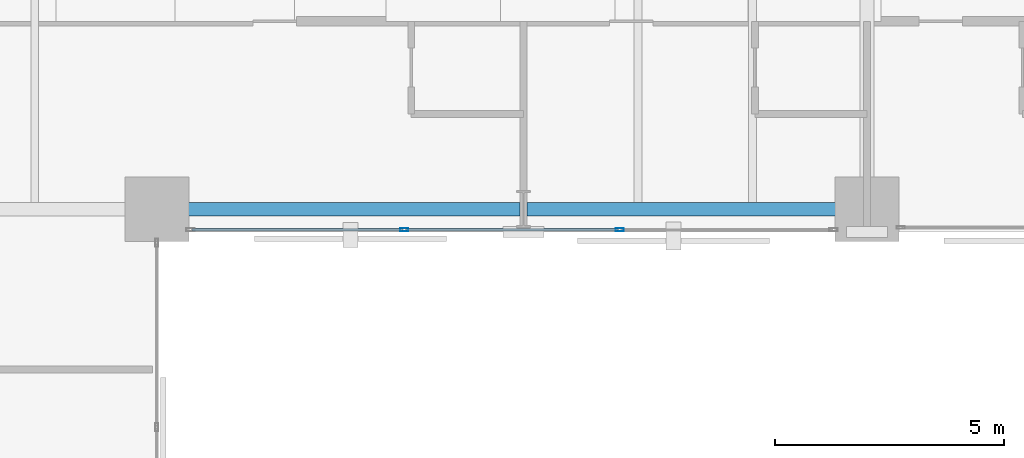
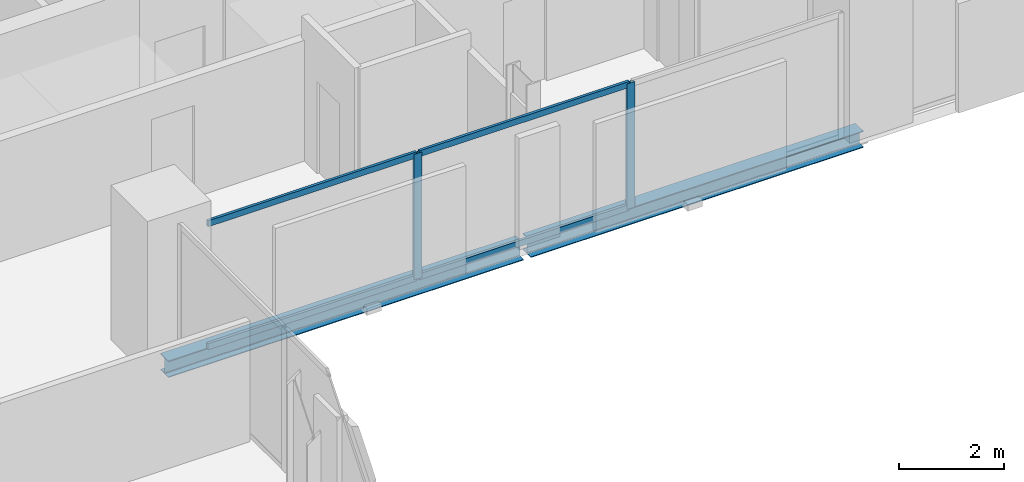
# One storey, part 14 of 32: 6 members, 2 beams, 1 element without a shape of its own.
"""IFC4 building model written with IfcOpenShell, lengths in metres."""

from ifc_helpers import new_model, si_unit, direction, frame, origin, origin_2d, place, context, subcontext, project, spatial, hollow_rectangle, i_section, extrude, material, layer, layer_set, material_profile, profile_set, type_object, element, aggregate, save


model = new_model("IFC4")

# Units and contexts
model_context = context("Model", 3, precision=1e-05, world=origin(), true_north=direction((0.0, 1.0)))
body_context = subcontext(model_context, "Body", "Model", "MODEL_VIEW")
ifc_project = project(units=[si_unit("LENGTHUNIT", "METRE"), si_unit("AREAUNIT", "SQUARE_METRE"), si_unit("VOLUMEUNIT", "CUBIC_METRE"), si_unit("PLANEANGLEUNIT", "RADIAN"), si_unit("MASSUNIT", "GRAM", prefix="KILO")], contexts=[model_context])

# Site, building, storey
site_placement = place(None, origin())
site = spatial("IfcSite", under=ifc_project, at=site_placement, CompositionType="ELEMENT")
building_placement = place(site_placement, origin())
building = spatial("IfcBuilding", under=site, at=building_placement, Name="Catumbela Crestline Tower", CompositionType="ELEMENT")
storey_placement = place(building_placement, frame((0.0, 0.0, 61.8)))
storey = spatial("IfcBuildingStorey", under=building, at=storey_placement, Name="L15", CompositionType="ELEMENT", Elevation=61.8)

# Curtain wall, members
ifc_material_1 = material(Name="Aluminium alloy AW-6060-T66", Category="aluminium")
ifc_layer = layer(ifc_material_1, 0.18, Name="Aluminium alloy AW-6060-T66")
ifc_layer_set = layer_set([ifc_layer], Name="Aluminium alloy AW-6060-T66")
curtain_wall_type = type_object("IfcCurtainWallType", Name="CWU-Z1", PredefinedType="USERDEFINED", material=ifc_layer_set)
curtain_wall_placement = place(storey_placement, origin())
curtain_wall = element("IfcCurtainWall", 1, at=curtain_wall_placement, inside=storey, type_object=curtain_wall_type, Name="L15 Unitised Curtain Wall CW-L15-E3S1", ObjectType="UNITISED", PredefinedType="USERDEFINED")
ifc_material_profile_1 = material_profile(ifc_material_1, hollow_rectangle(XDim=0.065, YDim=0.18, WallThickness=0.004, at=origin_2d()), Name="ALU 180x65x4")
ifc_profile_set_1 = profile_set([ifc_material_profile_1], Name="Aluminium alloy AW-6060-T66")
member_type_1 = type_object("IfcMemberType", Name="MUL-180X65", PredefinedType="MULLION", material=ifc_profile_set_1)
member_1_placement = place(storey_placement, frame((29.4, 24.05, 0.0), z_axis=(0.0, 0.0, 1.0), x_axis=(0.0, 1.0, 0.0)))
member_1 = element("IfcMember", 2, at=member_1_placement, type_object=member_type_1, Name="CWU-Z1 mullion 2", PredefinedType="MULLION", context=body_context, shape_type="SweptSolid", body=[
    extrude(hollow_rectangle(XDim=0.065, YDim=0.18, WallThickness=0.004, at=origin_2d()), origin(), (0.0, 0.0, 1.0), 2.93),
])
member_2_placement = place(storey_placement, frame((34.1, 24.05, 0.0), z_axis=(0.0, 0.0, 1.0), x_axis=(0.0, 1.0, 0.0)))
member_2 = element("IfcMember", 3, at=member_2_placement, type_object=member_type_1, Name="CWU-Z1 mullion 3", PredefinedType="MULLION", context=body_context, shape_type="SweptSolid", body=[
    extrude(hollow_rectangle(XDim=0.065, YDim=0.18, WallThickness=0.004, at=origin_2d()), origin(), (0.0, 0.0, 1.0), 2.93),
])

# Beams
ifc_material_2 = material(Name="Structural steel S355J2", Category="steel")
ifc_material_profile_2 = material_profile(ifc_material_2, i_section(OverallWidth=0.3, OverallDepth=0.39, WebThickness=0.011, FlangeThickness=0.019, FilletRadius=0.027, at=origin_2d()), Name="HEA 400")
ifc_profile_set_2 = profile_set([ifc_material_profile_2], Name="Structural steel S355J2")
beam_type = type_object("IfcBeamType", Name="BS-HEA400", PredefinedType="SPANDREL", material=ifc_profile_set_2)
beam_1_placement = place(storey_placement, frame((24.08, 24.5, -0.455), z_axis=(1.0, 0.0, 0.0), x_axis=(0.0, 1.0, 0.0)))
element("IfcBeam", 4, at=beam_1_placement, inside=storey, type_object=beam_type, Name="L15 Spandrel SP-L15-S05", PredefinedType="SPANDREL", context=body_context, shape_type="SweptSolid", body=[
    extrude(i_section(OverallWidth=0.3, OverallDepth=0.39, WebThickness=0.011, FlangeThickness=0.019, FilletRadius=0.027, at=origin_2d()), origin(), (0.0, 0.0, 1.0), 7.84),
])
beam_2_placement = place(storey_placement, frame((32.08, 24.5, -0.455), z_axis=(1.0, 0.0, 0.0), x_axis=(0.0, 1.0, 0.0)))
element("IfcBeam", 5, at=beam_2_placement, inside=storey, type_object=beam_type, Name="L15 Spandrel SP-L15-S06", PredefinedType="SPANDREL", context=body_context, shape_type="SweptSolid", body=[
    extrude(i_section(OverallWidth=0.3, OverallDepth=0.39, WebThickness=0.011, FlangeThickness=0.019, FilletRadius=0.027, at=origin_2d()), origin(), (0.0, 0.0, 1.0), 7.34),
])

# Member
ifc_material_profile_3 = material_profile(ifc_material_1, hollow_rectangle(XDim=0.06, YDim=0.14, WallThickness=0.004, at=origin_2d()), Name="ALU 140x60x4")
ifc_profile_set_3 = profile_set([ifc_material_profile_3], Name="Aluminium alloy AW-6060-T66")
member_type_2 = type_object("IfcMemberType", Name="TRN-140X60", PredefinedType="USERDEFINED", material=ifc_profile_set_3)
member_3_placement = place(storey_placement, frame((24.765, 24.05, 0.03), z_axis=(1.0, 0.0, 0.0), x_axis=(0.0, 1.0, 0.0)))
member_3 = element("IfcMember", 6, at=member_3_placement, type_object=member_type_2, Name="CWU-Z1 transom 1.1", ObjectType="TRANSOM", PredefinedType="USERDEFINED", context=body_context, shape_type="SweptSolid", body=[
    extrude(hollow_rectangle(XDim=0.06, YDim=0.14, WallThickness=0.004, at=origin_2d()), origin(), (0.0, 0.0, 1.0), 4.6025),
])

member_4_placement = place(storey_placement, frame((24.765, 24.05, 2.9), z_axis=(1.0, 0.0, 0.0), x_axis=(0.0, 1.0, 0.0)))
member_4 = element("IfcMember", 7, at=member_4_placement, type_object=member_type_2, Name="CWU-Z1 transom 1.2", ObjectType="TRANSOM", PredefinedType="USERDEFINED", context=body_context, shape_type="SweptSolid", body=[
    extrude(hollow_rectangle(XDim=0.06, YDim=0.14, WallThickness=0.004, at=origin_2d()), origin(), (0.0, 0.0, 1.0), 4.6025),
])

member_5_placement = place(storey_placement, frame((29.4325, 24.05, 0.03), z_axis=(1.0, 0.0, 0.0), x_axis=(0.0, 1.0, 0.0)))
member_5 = element("IfcMember", 8, at=member_5_placement, type_object=member_type_2, Name="CWU-Z1 transom 2.1", ObjectType="TRANSOM", PredefinedType="USERDEFINED", context=body_context, shape_type="SweptSolid", body=[
    extrude(hollow_rectangle(XDim=0.06, YDim=0.14, WallThickness=0.004, at=origin_2d()), origin(), (0.0, 0.0, 1.0), 4.635),
])

member_6_placement = place(storey_placement, frame((29.4325, 24.05, 2.9), z_axis=(1.0, 0.0, 0.0), x_axis=(0.0, 1.0, 0.0)))
member_6 = element("IfcMember", 9, at=member_6_placement, type_object=member_type_2, Name="CWU-Z1 transom 2.2", ObjectType="TRANSOM", PredefinedType="USERDEFINED", context=body_context, shape_type="SweptSolid", body=[
    extrude(hollow_rectangle(XDim=0.06, YDim=0.14, WallThickness=0.004, at=origin_2d()), origin(), (0.0, 0.0, 1.0), 4.635),
])

aggregate(curtain_wall, [member_1, member_2, member_3, member_4, member_5, member_6])

save(model, "model.ifc")
